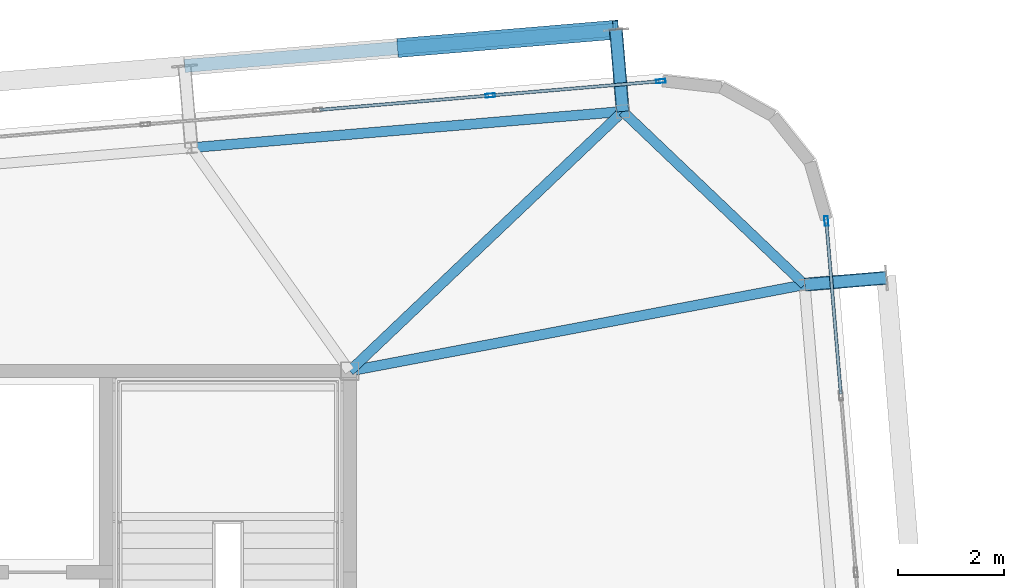
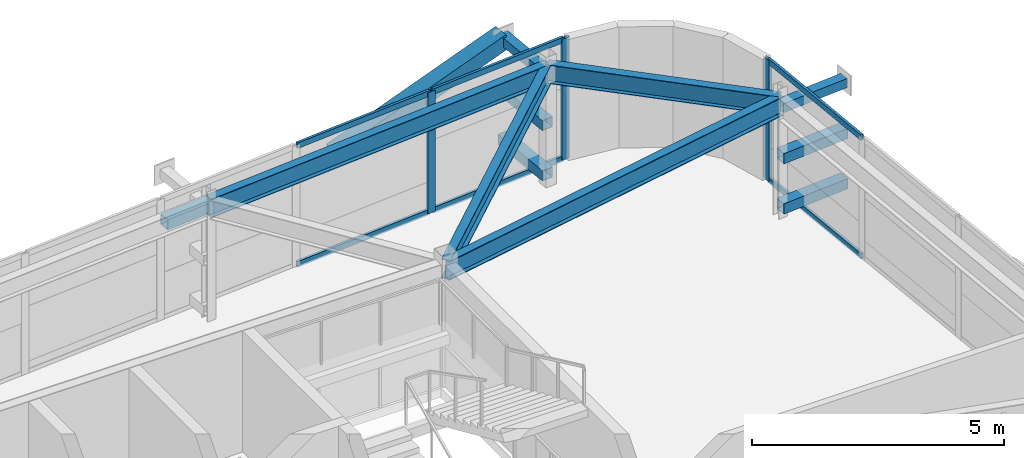
# One storey, part 31 of 44: 17 members, 4 beams, 2 elements without a shape of their own.
"""IFC4 building model written with IfcOpenShell, lengths in metres."""

from ifc_helpers import new_model, si_unit, direction, frame, origin, origin_2d, place, context, subcontext, project, spatial, hollow_rectangle, i_section, extrude, source, transform, mapped, material, layer, layer_set, material_profile, profile_set, type_object, element, aggregate, save


model = new_model("IFC4")

# Units and contexts
model_context = context("Model", 3, precision=1e-05, world=origin(), true_north=direction((0.0, 1.0)))
body_context = subcontext(model_context, "Body", "Model", "MODEL_VIEW")
ifc_project = project(units=[si_unit("LENGTHUNIT", "METRE"), si_unit("AREAUNIT", "SQUARE_METRE"), si_unit("VOLUMEUNIT", "CUBIC_METRE"), si_unit("PLANEANGLEUNIT", "RADIAN"), si_unit("MASSUNIT", "GRAM", prefix="KILO")], contexts=[model_context])

# Site, building, storey
site_placement = place(None, origin())
site = spatial("IfcSite", under=ifc_project, at=site_placement, CompositionType="ELEMENT")
building_placement = place(site_placement, origin())
building = spatial("IfcBuilding", under=site, at=building_placement, Name="Taldren Reach Tower", CompositionType="ELEMENT")
storey_placement = place(building_placement, frame((0.0, 0.0, 191.449951171875)))
storey = spatial("IfcBuildingStorey", under=building, at=storey_placement, Name="L58", CompositionType="ELEMENT", Elevation=191.449951171875)

# Members
ifc_material_1 = material(Name="Steel Gr 350 (C350L0)", Category="steel")
ifc_material_profile_1 = material_profile(ifc_material_1, hollow_rectangle(XDim=0.25, YDim=0.25, WallThickness=0.010009765625, at=origin_2d()), Name="250x250x10.0SHS")
ifc_profile_set_1 = profile_set([ifc_material_profile_1], Name="Steel Gr 350 (C350L0)")
member_type_1 = type_object("IfcMemberType", Name="MB-POST250", PredefinedType="POST", material=ifc_profile_set_1)
shared_shape_1 = source(origin(), body_context, "Body", "SweptSolid", [
    extrude(hollow_rectangle(XDim=0.25, YDim=0.25, WallThickness=0.010009765625, at=origin_2d()), origin(), (0.0, 0.0, 1.0), 1.5498046875),
])
for number, where, z_axis, x_axis, name in (
    (1, (56.160400390625, 36.906005859375, 0.219970703125), (-0.083645141657, 0.996495604746, 0.0), (-0.996495604746, -0.083645141657, 0.0), "Exoskeleton base diaphragm tie strut B4-N6 L58"),
    (2, (56.160400390625, 36.906005859375, 1.43505859375), (-0.083645141657, 0.996495604746, 0.0), (-0.996495604746, -0.083645141657, 0.0), "Exoskeleton mid-tier diaphragm tie B4-N6 L58"),
):
    element("IfcMember", number, at=place(storey_placement, frame(where, z_axis=z_axis, x_axis=x_axis)), inside=storey, type_object=member_type_1, Name=name, PredefinedType="POST", context=body_context, shape_type="MappedRepresentation", body=[
        mapped(shared_shape_1, transform((0.0, 0.0, 0.0), scale=1.0)),
    ])

# Beams
ifc_material_2 = material(Name="Steel Gr 350 (350PLUS)", Category="steel")
ifc_material_profile_2 = material_profile(ifc_material_2, i_section(OverallWidth=0.18994140625, OverallDepth=0.4541015625, WebThickness=0.008544921875, FlangeThickness=0.0126953125, at=origin_2d()), Name="460UB67.1")
ifc_profile_set_2 = profile_set([ifc_material_profile_2], Name="Steel Gr 350 (350PLUS)")
beam_type_1 = type_object("IfcBeamType", Name="SP-UB460B", PredefinedType="SPANDREL", material=ifc_profile_set_2)
shared_shape_2 = source(origin(), body_context, "Body", "SweptSolid", [
    extrude(i_section(OverallWidth=0.18994140625, OverallDepth=0.4541015625, WebThickness=0.008544921875, FlangeThickness=0.0126953125, at=origin_2d()), origin(), (0.0, 0.0, 1.0), 8.18017578125),
])
beam_1_placement = place(storey_placement, frame((56.160400390625, 36.906005859375, 2.703125), z_axis=(-0.996492034688, -0.083687662192, 0.0), x_axis=(0.083687662192, -0.996492034688, 0.0)))
element("IfcBeam", 3, at=beam_1_placement, inside=storey, type_object=beam_type_1, Name="Perimeter spandrel B4 N6-N5 L58", PredefinedType="SPANDREL", context=body_context, shape_type="MappedRepresentation", body=[
    mapped(shared_shape_2, transform((0.0, 0.0, 0.0), scale=1.0)),
])
shared_shape_3 = source(origin(), body_context, "Body", "SweptSolid", [
    extrude(i_section(OverallWidth=0.18994140625, OverallDepth=0.4541015625, WebThickness=0.008544921875, FlangeThickness=0.0126953125, at=origin_2d()), origin(), (0.0, 0.0, 1.0), 4.74609375),
])
beam_2_placement = place(storey_placement, frame((59.596435546875, 33.632080078125, 2.703125), z_axis=(-0.723978879349, 0.689822138132, 0.0), x_axis=(-0.689822138132, -0.723978879349, 0.0)))
element("IfcBeam", 4, at=beam_2_placement, inside=storey, type_object=beam_type_1, Name="Perimeter spandrel B4 E3-N6 L58", PredefinedType="SPANDREL", context=body_context, shape_type="MappedRepresentation", body=[
    mapped(shared_shape_3, transform((0.0, 0.0, 0.0), scale=1.0)),
])
ifc_material_profile_3 = material_profile(ifc_material_2, i_section(OverallWidth=0.19091796875, OverallDepth=0.4599609375, WebThickness=0.010009765625, FlangeThickness=0.01611328125, at=origin_2d()), Name="460UB82.1")
ifc_profile_set_3 = profile_set([ifc_material_profile_3], Name="Steel Gr 350 (350PLUS)")
beam_type_2 = type_object("IfcBeamType", Name="BM-UB460A", PredefinedType="BEAM", material=ifc_profile_set_3)
shared_shape_4 = source(origin(), body_context, "Body", "SweptSolid", [
    extrude(i_section(OverallWidth=0.19091796875, OverallDepth=0.4599609375, WebThickness=0.010009765625, FlangeThickness=0.01611328125, at=origin_2d()), origin(), (0.0, 0.0, 1.0), 8.75),
])
beam_3_placement = place(storey_placement, frame((51.0, 32.0, 2.699951171875), z_axis=(0.982450485799, 0.18652357211, 0.0), x_axis=(-0.18652357211, 0.982450485799, 0.0)))
element("IfcBeam", 5, at=beam_3_placement, inside=storey, type_object=beam_type_2, Name="Primary floor girder B4-E3 L58", PredefinedType="BEAM", context=body_context, shape_type="MappedRepresentation", body=[
    mapped(shared_shape_4, transform((0.0, 0.0, 0.0), scale=1.0)),
])
shared_shape_5 = source(origin(), body_context, "Body", "SweptSolid", [
    extrude(i_section(OverallWidth=0.19091796875, OverallDepth=0.4599609375, WebThickness=0.010009765625, FlangeThickness=0.01611328125, at=origin_2d()), origin(), (0.0, 0.0, 1.0), 7.120361328125),
])
beam_4_placement = place(storey_placement, frame((51.0, 32.0, 2.699951171875), z_axis=(0.724745130454, 0.689017050503, 0.0), x_axis=(-0.689017050503, 0.724745130454, 0.0)))
element("IfcBeam", 6, at=beam_4_placement, inside=storey, type_object=beam_type_2, Name="Primary floor girder B4-N6 L58", PredefinedType="BEAM", context=body_context, shape_type="MappedRepresentation", body=[
    mapped(shared_shape_5, transform((0.0, 0.0, 0.0), scale=1.0)),
])

# Members
ifc_material_3 = material(Name="Steel Gr 450 (C450L0)", Category="steel")
ifc_material_profile_4 = material_profile(ifc_material_3, hollow_rectangle(XDim=0.219970703125, YDim=0.219970703125, WallThickness=0.00830078125, at=origin_2d()), Name="220x220x8.2SHS")
ifc_profile_set_4 = profile_set([ifc_material_profile_4], Name="Steel Gr 450 (C450L0)")
member_type_2 = type_object("IfcMemberType", Name="MB-TIE219", PredefinedType="STRUT", material=ifc_profile_set_4)
shared_shape_6 = source(origin(), body_context, "Body", "SweptSolid", [
    extrude(hollow_rectangle(XDim=0.219970703125, YDim=0.219970703125, WallThickness=0.00830078125, at=origin_2d()), origin(), (0.0, 0.0, 1.0), 1.5498046875),
])
member_1_placement = place(storey_placement, frame((56.160400390625, 36.906005859375, 2.650146484375), z_axis=(-0.083645141657, 0.996495604746, 0.0), x_axis=(-0.996495604746, -0.083645141657, 0.0)))
element("IfcMember", 7, at=member_1_placement, inside=storey, type_object=member_type_2, Name="Exoskeleton diaphragm tie strut B4-N6 L58", PredefinedType="STRUT", context=body_context, shape_type="MappedRepresentation", body=[
    mapped(shared_shape_6, transform((0.0, 0.0, 0.0), scale=1.0)),
])
shared_shape_7 = source(origin(), body_context, "Body", "SweptSolid", [
    extrude(hollow_rectangle(XDim=0.219970703125, YDim=0.219970703125, WallThickness=0.00830078125, at=origin_2d()), origin(), (0.0, 0.0, 1.0), 1.545166015625),
])
member_2_placement = place(storey_placement, frame((59.60107421875, 33.63232421875, 2.650146484375), z_axis=(0.996487766615, 0.083738467783, 0.0), x_axis=(-0.083738467783, 0.996487766615, 0.0)))
element("IfcMember", 8, at=member_2_placement, inside=storey, type_object=member_type_2, Name="Exoskeleton diaphragm tie strut B4-E3 L58", PredefinedType="STRUT", context=body_context, shape_type="MappedRepresentation", body=[
    mapped(shared_shape_7, transform((0.0, 0.0, 0.0), scale=1.0)),
])
shared_shape_8 = source(origin(), body_context, "Body", "SweptSolid", [
    extrude(hollow_rectangle(XDim=0.25, YDim=0.25, WallThickness=0.010009765625, at=origin_2d()), origin(), (0.0, 0.0, 1.0), 8.179931640625),
])
member_3_placement = place(storey_placement, frame((47.87939453125, 37.76611328125, 1.43505859375), z_axis=(0.996494523218, 0.083658025296, 0.0), x_axis=(-0.083658025296, 0.996494523218, 0.0)))
element("IfcMember", 9, at=member_3_placement, inside=storey, type_object=member_type_1, Name="Exoskeleton mid-height ring chord B4-N5 L58", PredefinedType="POST", context=body_context, shape_type="MappedRepresentation", body=[
    mapped(shared_shape_8, transform((0.0, 0.0, 0.0), scale=1.0)),
])
shared_shape_9 = source(origin(), body_context, "Body", "SweptSolid", [
    extrude(hollow_rectangle(XDim=0.25, YDim=0.25, WallThickness=0.010009765625, at=origin_2d()), origin(), (0.0, 0.0, 1.0), 1.545166015625),
])
for number, where, z_axis, x_axis, name in (
    (10, (59.60107421875, 33.63232421875, 0.219970703125), (0.996487766615, 0.083738467783, 0.0), (-0.083738467783, 0.996487766615, 0.0), "Exoskeleton base diaphragm tie strut B4-E3 L58"),
    (11, (59.60107421875, 33.63232421875, 1.43505859375), (0.996487766615, 0.083738467783, 0.0), (-0.083738467783, 0.996487766615, 0.0), "Exoskeleton mid-tier diaphragm tie B4-E3 L58"),
):
    element("IfcMember", number, at=place(storey_placement, frame(where, z_axis=z_axis, x_axis=x_axis)), inside=storey, type_object=member_type_1, Name=name, PredefinedType="POST", context=body_context, shape_type="MappedRepresentation", body=[
        mapped(shared_shape_9, transform((0.0, 0.0, 0.0), scale=1.0)),
    ])
ifc_material_profile_5 = material_profile(ifc_material_3, hollow_rectangle(XDim=0.360107421875, YDim=0.360107421875, WallThickness=0.0126953125, at=origin_2d()), Name="360x360x12.7SHS")
ifc_profile_set_5 = profile_set([ifc_material_profile_5], Name="Steel Gr 450 (C450L0)")
member_type_3 = type_object("IfcMemberType", Name="MB-EXO356", PredefinedType="BRACE", material=ifc_profile_set_5)
shared_shape_10 = source(origin(), body_context, "Body", "SweptSolid", [
    extrude(hollow_rectangle(XDim=0.360107421875, YDim=0.360107421875, WallThickness=0.0126953125, at=origin_2d()), origin(), (0.0, 0.0, 1.0), 4.2666015625),
])
member_4_placement = place(storey_placement, frame((51.955078125, 38.1083984375, 1.43505859375), z_axis=(0.955233542365, 0.080165460216, 0.28478479336), x_axis=(-0.083628388178, 0.996497010879, 0.0)))
element("IfcMember", 12, at=member_4_placement, inside=storey, type_object=member_type_3, Name="Exoskeleton Diagrid Brace B4-N5 L58", PredefinedType="BRACE", context=body_context, shape_type="MappedRepresentation", body=[
    mapped(shared_shape_10, transform((0.0, 0.0, 0.0), scale=1.0)),
])

# Curtain wall, members
ifc_material_4 = material(Name="Aluminium and Low-E Glass Unitised System", Category="aluminium")
ifc_layer = layer(ifc_material_4, 0.159912109375)
ifc_layer_set = layer_set([ifc_layer], Name="Aluminium and Low-E Glass Unitised System")
curtain_wall_type = type_object("IfcCurtainWallType", Name="CW-SYS-5", PredefinedType="NOTDEFINED", material=ifc_layer_set)
curtain_wall_1_placement = place(storey_placement, origin())
curtain_wall_1 = element("IfcCurtainWall", 13, at=curtain_wall_1_placement, inside=storey, type_object=curtain_wall_type, Name="Unitised curtain wall CW-L58-N", PredefinedType="NOTDEFINED")
ifc_material_5 = material(Name="Anodised Aluminium 6063-T6", Category="aluminium")
ifc_material_profile_6 = material_profile(ifc_material_5, hollow_rectangle(XDim=0.070068359375, YDim=0.179931640625, WallThickness=0.00390625, at=origin_2d()), Name="ALU-180x70x4RHS")
ifc_profile_set_6 = profile_set([ifc_material_profile_6], Name="Anodised Aluminium 6063-T6")
member_type_4 = type_object("IfcMemberType", Name="CW-MUL-180", PredefinedType="MULLION", material=ifc_profile_set_6)
shared_shape_11 = source(origin(), body_context, "Body", "SweptSolid", [
    extrude(hollow_rectangle(XDim=0.070068359375, YDim=0.179931640625, WallThickness=0.00390625, at=origin_2d()), origin(), (0.0, 0.0, 1.0), 2.929931640625),
])
member_5_placement = place(storey_placement, frame((56.8798828125, 37.478271484375, 0.0), z_axis=(0.0, 0.0, 1.0), x_axis=(0.083677875247, -0.99649285657, 0.0)))
member_5 = element("IfcMember", 14, at=member_5_placement, type_object=member_type_4, Name="CW-5 mullion 1", PredefinedType="MULLION", context=body_context, shape_type="MappedRepresentation", body=[
    mapped(shared_shape_11, transform((0.0, 0.0, 0.0), scale=1.0)),
])
member_6_placement = place(storey_placement, frame((53.6572265625, 37.20751953125, 0.0), z_axis=(0.0, 0.0, 1.0), x_axis=(0.083677875247, -0.99649285657, 0.0)))
member_6 = element("IfcMember", 15, at=member_6_placement, type_object=member_type_4, Name="CW-5 mullion 2", PredefinedType="MULLION", context=body_context, shape_type="MappedRepresentation", body=[
    mapped(shared_shape_11, transform((0.0, 0.0, 0.0), scale=1.0)),
])

# Curtain wall, member
curtain_wall_2_placement = place(storey_placement, origin())
curtain_wall_2 = element("IfcCurtainWall", 16, at=curtain_wall_2_placement, inside=storey, type_object=curtain_wall_type, Name="Unitised curtain wall CW-L58-E", PredefinedType="NOTDEFINED")
member_7_placement = place(storey_placement, frame((60.007080078125, 34.835693359375, 0.0), z_axis=(0.0, 0.0, 1.0), x_axis=(-0.996492847789, -0.083677979808, 0.0)))
member_7 = element("IfcMember", 17, at=member_7_placement, type_object=member_type_4, Name="CW-5 mullion 9", PredefinedType="MULLION", context=body_context, shape_type="MappedRepresentation", body=[
    mapped(shared_shape_11, transform((0.0, 0.0, 0.0), scale=1.0)),
])

# Member
ifc_material_profile_7 = material_profile(ifc_material_5, hollow_rectangle(XDim=0.06005859375, YDim=0.135009765625, WallThickness=0.00341796875, at=origin_2d()), Name="ALU-135x60x3.5RHS")
ifc_profile_set_7 = profile_set([ifc_material_profile_7], Name="Anodised Aluminium 6063-T6")
member_type_5 = type_object("IfcMemberType", Name="CW-TRN-150", PredefinedType="USERDEFINED", material=ifc_profile_set_7)
shared_shape_12 = source(origin(), body_context, "Body", "SweptSolid", [
    extrude(hollow_rectangle(XDim=0.06005859375, YDim=0.135009765625, WallThickness=0.00341796875, at=origin_2d()), origin(), (0.0, 0.0, 1.0), 3.19921875),
])
member_8_placement = place(storey_placement, frame((53.622314453125, 37.20458984375, 0.030029296875), z_axis=(-0.996496109493, -0.083639128198, 0.0), x_axis=(0.083639128198, -0.996496109493, 0.0)))
member_8 = element("IfcMember", 18, at=member_8_placement, type_object=member_type_5, Name="CW-5 transom 2.1", ObjectType="TRANSOM", PredefinedType="USERDEFINED", context=body_context, shape_type="MappedRepresentation", body=[
    mapped(shared_shape_12, transform((0.0, 0.0, 0.0), scale=1.0)),
])

member_9_placement = place(storey_placement, frame((53.622314453125, 37.20458984375, 2.900146484375), z_axis=(-0.996496109493, -0.083639128198, 0.0), x_axis=(0.083639128198, -0.996496109493, 0.0)))
member_9 = element("IfcMember", 19, at=member_9_placement, type_object=member_type_5, Name="CW-5 transom 2.2", ObjectType="TRANSOM", PredefinedType="USERDEFINED", context=body_context, shape_type="MappedRepresentation", body=[
    mapped(shared_shape_12, transform((0.0, 0.0, 0.0), scale=1.0)),
])

shared_shape_13 = source(origin(), body_context, "Body", "SweptSolid", [
    extrude(hollow_rectangle(XDim=0.06005859375, YDim=0.135009765625, WallThickness=0.00341796875, at=origin_2d()), origin(), (0.0, 0.0, 1.0), 3.164306640625),
])
member_10_placement = place(storey_placement, frame((56.84521484375, 37.475341796875, 0.030029296875), z_axis=(-0.996490200681, -0.083709497347, 0.0), x_axis=(0.083709497347, -0.996490200681, 0.0)))
member_10 = element("IfcMember", 20, at=member_10_placement, type_object=member_type_5, Name="CW-5 transom 1.1", ObjectType="TRANSOM", PredefinedType="USERDEFINED", context=body_context, shape_type="MappedRepresentation", body=[
    mapped(shared_shape_13, transform((0.0, 0.0, 0.0), scale=1.0)),
])

member_11_placement = place(storey_placement, frame((56.84521484375, 37.475341796875, 2.900146484375), z_axis=(-0.996490200681, -0.083709497347, 0.0), x_axis=(0.083709497347, -0.996490200681, 0.0)))
member_11 = element("IfcMember", 21, at=member_11_placement, type_object=member_type_5, Name="CW-5 transom 1.2", ObjectType="TRANSOM", PredefinedType="USERDEFINED", context=body_context, shape_type="MappedRepresentation", body=[
    mapped(shared_shape_13, transform((0.0, 0.0, 0.0), scale=1.0)),
])

aggregate(curtain_wall_1, [member_5, member_6, member_10, member_11, member_8, member_9])

shared_shape_14 = source(origin(), body_context, "Body", "SweptSolid", [
    extrude(hollow_rectangle(XDim=0.06005859375, YDim=0.135009765625, WallThickness=0.00341796875, at=origin_2d()), origin(), (0.0, 0.0, 1.0), 3.2451171875),
])
member_12_placement = place(storey_placement, frame((60.281494140625, 31.567138671875, 0.030029296875), z_axis=(-0.083661876203, 0.996494199918, 0.0), x_axis=(-0.996494199918, -0.083661876203, 0.0)))
member_12 = element("IfcMember", 22, at=member_12_placement, type_object=member_type_5, Name="CW-5 transom 8.1", ObjectType="TRANSOM", PredefinedType="USERDEFINED", context=body_context, shape_type="MappedRepresentation", body=[
    mapped(shared_shape_14, transform((0.0, 0.0, 0.0), scale=1.0)),
])

member_13_placement = place(storey_placement, frame((60.281494140625, 31.567138671875, 2.900146484375), z_axis=(-0.083661876203, 0.996494199918, 0.0), x_axis=(-0.996494199918, -0.083661876203, 0.0)))
member_13 = element("IfcMember", 23, at=member_13_placement, type_object=member_type_5, Name="CW-5 transom 8.2", ObjectType="TRANSOM", PredefinedType="USERDEFINED", context=body_context, shape_type="MappedRepresentation", body=[
    mapped(shared_shape_14, transform((0.0, 0.0, 0.0), scale=1.0)),
])

aggregate(curtain_wall_2, [member_7, member_12, member_13])

save(model, "model.ifc")
